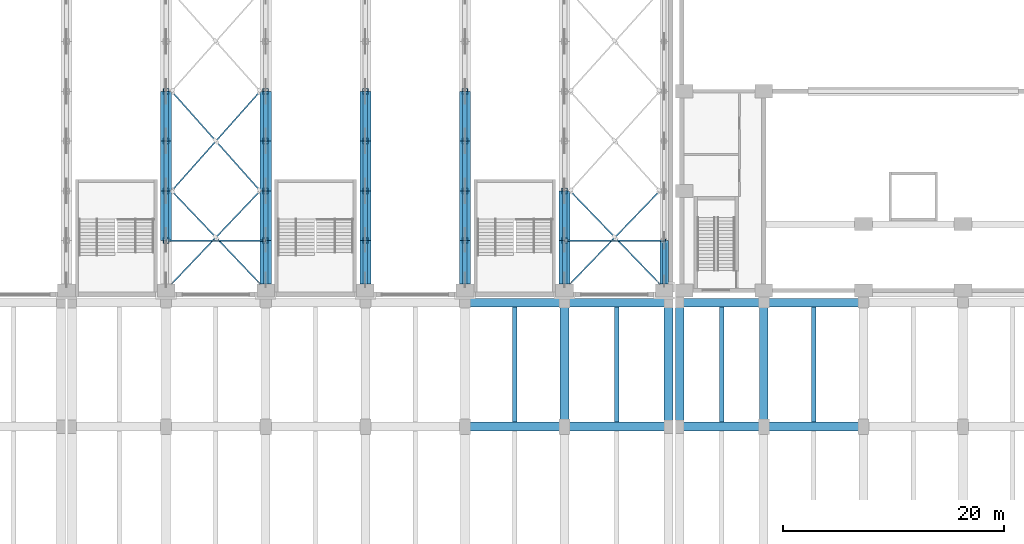
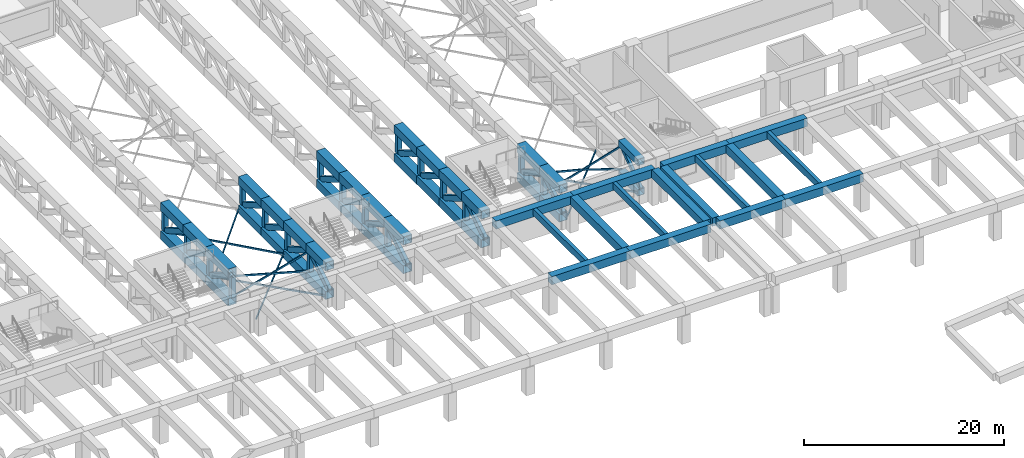
# One storey, part 11 of 76: 87 members, 16 beams.
"""IFC4 building model written with IfcOpenShell, lengths in metres."""

from ifc_helpers import new_model, si_unit, direction, frame, origin, origin_2d, place, context, subcontext, project, spatial, rectangle, hollow_rectangle, extrude, material, material_profile, profile_set, type_object, element, save


model = new_model("IFC4")

# Units and contexts
model_context = context("Model", 3, precision=1e-05, world=origin(), true_north=direction((0.0, 1.0)))
body_context = subcontext(model_context, "Body", "Model", "MODEL_VIEW")
ifc_project = project(units=[si_unit("LENGTHUNIT", "METRE"), si_unit("AREAUNIT", "SQUARE_METRE"), si_unit("VOLUMEUNIT", "CUBIC_METRE"), si_unit("PLANEANGLEUNIT", "RADIAN"), si_unit("MASSUNIT", "GRAM", prefix="KILO")], contexts=[model_context])

# Site, building, storey
site_placement = place(None, origin())
site = spatial("IfcSite", under=ifc_project, at=site_placement, CompositionType="ELEMENT")
building_placement = place(site_placement, origin())
building = spatial("IfcBuilding", under=site, at=building_placement, Name="Aravalli Gate Trade Fair Centre", CompositionType="ELEMENT")
storey_placement = place(building_placement, frame((0.0, 0.0, 10.0)))
storey = spatial("IfcBuildingStorey", under=building, at=storey_placement, Name="L02", CompositionType="ELEMENT", Elevation=10.0)

# Members
ifc_material_1 = material(Name="Steel E350", Category="steel")
ifc_material_profile_1 = material_profile(ifc_material_1, hollow_rectangle(XDim=0.1201171875, YDim=0.199951171875, WallThickness=0.008056640625, at=origin_2d()), Name="RHS 200x120x8")
ifc_profile_set_1 = profile_set([ifc_material_profile_1], Name="Steel E350")
member_type_1 = type_object("IfcMemberType", Name="Cross frame brace RHS 200x120x8", PredefinedType="BRACE", material=ifc_profile_set_1)
member_1_placement = place(storey_placement, frame((60.5, 46.60009765625, 0.5), z_axis=(0.689659376744, 0.724133926887, 0.0), x_axis=(-0.724133926887, 0.689659376744, 0.0)))
element("IfcMember", 1, at=member_1_placement, inside=storey, type_object=member_type_1, Name="FT plan brace bay 7 cell 1A", PredefinedType="BRACE", context=body_context, shape_type="SweptSolid", body=[
    extrude(hollow_rectangle(XDim=0.1201171875, YDim=0.199951171875, WallThickness=0.008056640625, at=origin_2d()), origin(), (0.0, 0.0, 1.0), 11.599853515625),
])
for number, where, z_axis, x_axis, name in (
    (2, (60.5, 55.0, 0.5), (0.689659376744, -0.724133926887, 0.0), (0.724133926887, 0.689659376744, 0.0), "FT plan brace bay 7 cell 1B half 1"),
    (3, (64.5, 50.800048828125, 0.5), (0.689659376744, -0.724133926887, 0.0), (0.724133926887, 0.689659376744, 0.0), "FT plan brace bay 7 cell 1B half 2"),
):
    element("IfcMember", number, at=place(storey_placement, frame(where, z_axis=z_axis, x_axis=x_axis)), inside=storey, type_object=member_type_1, Name=name, PredefinedType="BRACE", context=body_context, shape_type="SweptSolid", body=[
        extrude(hollow_rectangle(XDim=0.1201171875, YDim=0.199951171875, WallThickness=0.008056640625, at=origin_2d()), origin(), (0.0, 0.0, 1.0), 5.800048828125),
    ])
member_2_placement = place(storey_placement, frame((60.5, 55.0, 0.5), z_axis=(0.66436383883, 0.747409318684, 0.0), x_axis=(-0.747409318684, 0.66436383883, 0.0)))
element("IfcMember", 4, at=member_2_placement, inside=storey, type_object=member_type_1, Name="FT plan brace bay 7 cell 2A", PredefinedType="BRACE", context=body_context, shape_type="SweptSolid", body=[
    extrude(hollow_rectangle(XDim=0.1201171875, YDim=0.199951171875, WallThickness=0.008056640625, at=origin_2d()), origin(), (0.0, 0.0, 1.0), 12.04150390625),
])
for number, where, z_axis, x_axis, name in (
    (5, (60.5, 64.0, 0.5), (0.66436383883, -0.747409318684, 0.0), (0.747409318684, 0.66436383883, 0.0), "FT plan brace bay 7 cell 2B half 1"),
    (6, (64.5, 59.5, 0.5), (0.66436383883, -0.747409318684, 0.0), (0.747409318684, 0.66436383883, 0.0), "FT plan brace bay 7 cell 2B half 2"),
):
    element("IfcMember", number, at=place(storey_placement, frame(where, z_axis=z_axis, x_axis=x_axis)), inside=storey, type_object=member_type_1, Name=name, PredefinedType="BRACE", context=body_context, shape_type="SweptSolid", body=[
        extrude(hollow_rectangle(XDim=0.1201171875, YDim=0.199951171875, WallThickness=0.008056640625, at=origin_2d()), origin(), (0.0, 0.0, 1.0), 6.020751953125),
    ])
member_3_placement = place(storey_placement, frame((60.0, 50.5, 1.0), z_axis=(0.96351790963, 0.0, 0.267643863786), x_axis=(0.0, 1.0, 0.0)))
element("IfcMember", 7, at=member_3_placement, inside=storey, type_object=member_type_1, Name="FT vertical brace bay 7 frame 1A", PredefinedType="BRACE", context=body_context, shape_type="SweptSolid", body=[
    extrude(hollow_rectangle(XDim=0.1201171875, YDim=0.199951171875, WallThickness=0.008056640625, at=origin_2d()), origin(), (0.0, 0.0, 1.0), 9.3408203125),
])
for number, where, z_axis, x_axis, name in (
    (8, (60.0, 50.5, 3.5), (0.96351790963, 0.0, -0.267643863786), (0.0, 1.0, 0.0), "FT vertical brace bay 7 frame 1B half 1"),
    (9, (64.5, 50.5, 2.25), (0.96351790963, 0.0, -0.267643863786), (0.0, 1.0, 0.0), "FT vertical brace bay 7 frame 1B half 2"),
):
    element("IfcMember", number, at=place(storey_placement, frame(where, z_axis=z_axis, x_axis=x_axis)), inside=storey, type_object=member_type_1, Name=name, PredefinedType="BRACE", context=body_context, shape_type="SweptSolid", body=[
        extrude(hollow_rectangle(XDim=0.1201171875, YDim=0.199951171875, WallThickness=0.008056640625, at=origin_2d()), origin(), (0.0, 0.0, 1.0), 4.67041015625),
    ])
member_4_placement = place(storey_placement, frame((96.5, 46.60009765625, 0.5), z_axis=(0.694144088606, 0.719836081517, 0.0), x_axis=(-0.719836081517, 0.694144088606, 0.0)))
element("IfcMember", 10, at=member_4_placement, inside=storey, type_object=member_type_1, Name="FT plan brace bay 11 cell 1A", PredefinedType="BRACE", context=body_context, shape_type="SweptSolid", body=[
    extrude(hollow_rectangle(XDim=0.1201171875, YDim=0.199951171875, WallThickness=0.008056640625, at=origin_2d()), origin(), (0.0, 0.0, 1.0), 11.669189453125),
])
for number, where, z_axis, x_axis, name in (
    (11, (96.5, 55.0, 0.5), (0.694144088606, -0.719836081517, 0.0), (0.719836081517, 0.694144088606, 0.0), "FT plan brace bay 11 cell 1B half 1"),
    (12, (100.550048828125, 50.800048828125, 0.5), (0.694144088606, -0.719836081517, 0.0), (0.719836081517, 0.694144088606, 0.0), "FT plan brace bay 11 cell 1B half 2"),
):
    element("IfcMember", number, at=place(storey_placement, frame(where, z_axis=z_axis, x_axis=x_axis)), inside=storey, type_object=member_type_1, Name=name, PredefinedType="BRACE", context=body_context, shape_type="SweptSolid", body=[
        extrude(hollow_rectangle(XDim=0.1201171875, YDim=0.199951171875, WallThickness=0.008056640625, at=origin_2d()), origin(), (0.0, 0.0, 1.0), 5.83447265625),
    ])
member_5_placement = place(storey_placement, frame((96.0, 50.5, 1.0), z_axis=(0.957827715452, 0.0, 0.287343118088), x_axis=(0.0, 1.0, 0.0)))
element("IfcMember", 13, at=member_5_placement, inside=storey, type_object=member_type_1, Name="FT vertical brace bay 11 frame 1A", PredefinedType="BRACE", context=body_context, shape_type="SweptSolid", body=[
    extrude(hollow_rectangle(XDim=0.1201171875, YDim=0.199951171875, WallThickness=0.008056640625, at=origin_2d()), origin(), (0.0, 0.0, 1.0), 9.396240234375),
])
member_6_placement = place(storey_placement, frame((96.0, 50.5, 3.5), z_axis=(0.968867829559, 0.0, -0.247578530665), x_axis=(0.0, 1.0, 0.0)))
element("IfcMember", 14, at=member_6_placement, inside=storey, type_object=member_type_1, Name="FT vertical brace bay 11 frame 1B half 1", PredefinedType="BRACE", context=body_context, shape_type="SweptSolid", body=[
    extrude(hollow_rectangle(XDim=0.1201171875, YDim=0.199951171875, WallThickness=0.008056640625, at=origin_2d()), origin(), (0.0, 0.0, 1.0), 4.64453125),
])
member_7_placement = place(storey_placement, frame((100.5, 50.5, 2.35009765625), z_axis=(0.945481407862, 0.0, -0.325676077394), x_axis=(0.0, 1.0, 0.0)))
element("IfcMember", 15, at=member_7_placement, inside=storey, type_object=member_type_1, Name="FT vertical brace bay 11 frame 1B half 2", PredefinedType="BRACE", context=body_context, shape_type="SweptSolid", body=[
    extrude(hollow_rectangle(XDim=0.1201171875, YDim=0.199951171875, WallThickness=0.008056640625, at=origin_2d()), origin(), (0.0, 0.0, 1.0), 4.759521484375),
])

# Beams
ifc_material_2 = material(Name="Concrete M45", Category="concrete")
ifc_material_profile_2 = material_profile(ifc_material_2, rectangle(XDim=0.800048828125, YDim=1.0, at=origin_2d()), Name="Deck girder RC 800 x 1000")
ifc_profile_set_2 = profile_set([ifc_material_profile_2], Name="Concrete M45")
beam_type_1 = type_object("IfcBeamType", Name="Deck girder RC 800 x 1000", PredefinedType="BEAM", material=ifc_profile_set_2)
beam_1_placement = place(storey_placement, frame((87.0, 33.699951171875, 3.89990234375), z_axis=(1.0, 0.0, 0.0), x_axis=(0.0, 1.0, 0.0)))
element("IfcBeam", 16, at=beam_1_placement, inside=storey, type_object=beam_type_1, Name="Beam SB3-038", PredefinedType="BEAM", context=body_context, shape_type="SweptSolid", body=[
    extrude(rectangle(XDim=0.800048828125, YDim=1.0, at=origin_2d()), origin(), (0.0, 0.0, 1.0), 9.0),
])
beam_2_placement = place(storey_placement, frame((96.0, 33.699951171875, 3.89990234375), z_axis=(1.0, 0.0, 0.0), x_axis=(0.0, 1.0, 0.0)))
element("IfcBeam", 17, at=beam_2_placement, inside=storey, type_object=beam_type_1, Name="Beam SB3-039", PredefinedType="BEAM", context=body_context, shape_type="SweptSolid", body=[
    extrude(rectangle(XDim=0.800048828125, YDim=1.0, at=origin_2d()), origin(), (0.0, 0.0, 1.0), 9.39990234375),
])
beam_3_placement = place(storey_placement, frame((87.0, 44.89990234375, 3.89990234375), z_axis=(1.0, 0.0, 0.0), x_axis=(0.0, 1.0, 0.0)))
element("IfcBeam", 18, at=beam_3_placement, inside=storey, type_object=beam_type_1, Name="Beam SB3-044", PredefinedType="BEAM", context=body_context, shape_type="SweptSolid", body=[
    extrude(rectangle(XDim=0.800048828125, YDim=1.0, at=origin_2d()), origin(), (0.0, 0.0, 1.0), 9.0),
])
beam_4_placement = place(storey_placement, frame((96.0, 44.89990234375, 3.89990234375), z_axis=(1.0, 0.0, 0.0), x_axis=(0.0, 1.0, 0.0)))
element("IfcBeam", 19, at=beam_4_placement, inside=storey, type_object=beam_type_1, Name="Beam SB3-045", PredefinedType="BEAM", context=body_context, shape_type="SweptSolid", body=[
    extrude(rectangle(XDim=0.800048828125, YDim=1.0, at=origin_2d()), origin(), (0.0, 0.0, 1.0), 9.39990234375),
])
for number, where, z_axis, x_axis, name in (
    (20, (96.0, 34.10009765625, 3.89990234375), (0.0, 1.0, 0.0), (-1.0, 0.0, 0.0), "Beam SB3-057"),
    (21, (105.39990234375, 34.10009765625, 3.89990234375), (0.0, 1.0, 0.0), (-1.0, 0.0, 0.0), "Beam SB3-059"),
):
    element("IfcBeam", number, at=place(storey_placement, frame(where, z_axis=z_axis, x_axis=x_axis)), inside=storey, type_object=beam_type_1, Name=name, PredefinedType="BEAM", context=body_context, shape_type="SweptSolid", body=[
        extrude(rectangle(XDim=0.800048828125, YDim=1.0, at=origin_2d()), origin(), (0.0, 0.0, 1.0), 10.39990234375),
    ])
beam_5_placement = place(storey_placement, frame((106.39990234375, 33.699951171875, 3.89990234375), z_axis=(1.0, 0.0, 0.0), x_axis=(0.0, 1.0, 0.0)))
element("IfcBeam", 22, at=beam_5_placement, inside=storey, type_object=beam_type_1, Name="Beam SB3-066", PredefinedType="BEAM", context=body_context, shape_type="SweptSolid", body=[
    extrude(rectangle(XDim=0.800048828125, YDim=1.0, at=origin_2d()), origin(), (0.0, 0.0, 1.0), 7.60009765625),
])
beam_6_placement = place(storey_placement, frame((114.0, 33.699951171875, 3.89990234375), z_axis=(1.0, 0.0, 0.0), x_axis=(0.0, 1.0, 0.0)))
element("IfcBeam", 23, at=beam_6_placement, inside=storey, type_object=beam_type_1, Name="Beam SB3-067", PredefinedType="BEAM", context=body_context, shape_type="SweptSolid", body=[
    extrude(rectangle(XDim=0.800048828125, YDim=1.0, at=origin_2d()), origin(), (0.0, 0.0, 1.0), 9.0),
])
beam_7_placement = place(storey_placement, frame((106.39990234375, 44.89990234375, 3.89990234375), z_axis=(1.0, 0.0, 0.0), x_axis=(0.0, 1.0, 0.0)))
element("IfcBeam", 24, at=beam_7_placement, inside=storey, type_object=beam_type_1, Name="Beam SB3-072", PredefinedType="BEAM", context=body_context, shape_type="SweptSolid", body=[
    extrude(rectangle(XDim=0.800048828125, YDim=1.0, at=origin_2d()), origin(), (0.0, 0.0, 1.0), 7.60009765625),
])
beam_8_placement = place(storey_placement, frame((114.0, 44.89990234375, 3.89990234375), z_axis=(1.0, 0.0, 0.0), x_axis=(0.0, 1.0, 0.0)))
element("IfcBeam", 25, at=beam_8_placement, inside=storey, type_object=beam_type_1, Name="Beam SB3-073", PredefinedType="BEAM", context=body_context, shape_type="SweptSolid", body=[
    extrude(rectangle(XDim=0.800048828125, YDim=1.0, at=origin_2d()), origin(), (0.0, 0.0, 1.0), 9.0),
])
for number, where, z_axis, x_axis, name in (
    (26, (106.39990234375, 34.10009765625, 3.89990234375), (0.0, 1.0, 0.0), (-1.0, 0.0, 0.0), "Beam SB3-079"),
    (27, (114.0, 34.10009765625, 3.89990234375), (0.0, 1.0, 0.0), (-1.0, 0.0, 0.0), "Beam SB3-081"),
):
    element("IfcBeam", number, at=place(storey_placement, frame(where, z_axis=z_axis, x_axis=x_axis)), inside=storey, type_object=beam_type_1, Name=name, PredefinedType="BEAM", context=body_context, shape_type="SweptSolid", body=[
        extrude(rectangle(XDim=0.800048828125, YDim=1.0, at=origin_2d()), origin(), (0.0, 0.0, 1.0), 10.39990234375),
    ])
ifc_material_profile_3 = material_profile(ifc_material_2, rectangle(XDim=0.39990234375, YDim=0.800048828125, at=origin_2d()), Name="Deck secondary beam RC 400 x 800")
ifc_profile_set_3 = profile_set([ifc_material_profile_3], Name="Concrete M45")
beam_type_2 = type_object("IfcBeamType", Name="Deck secondary beam RC 400 x 800", PredefinedType="BEAM", material=ifc_profile_set_3)
for number, where, z_axis, x_axis, name in (
    (28, (91.5, 34.10009765625, 4.0), (0.0, 1.0, 0.0), (-1.0, 0.0, 0.0), "Beam SB4-020"),
    (29, (100.699951171875, 34.10009765625, 4.0), (0.0, 1.0, 0.0), (-1.0, 0.0, 0.0), "Beam SB4-022"),
    (30, (110.199951171875, 34.10009765625, 4.0), (0.0, 1.0, 0.0), (-1.0, 0.0, 0.0), "Beam SB4-024"),
    (31, (118.5, 34.10009765625, 4.0), (0.0, 1.0, 0.0), (-1.0, 0.0, 0.0), "Beam SB4-026"),
):
    element("IfcBeam", number, at=place(storey_placement, frame(where, z_axis=z_axis, x_axis=x_axis)), inside=storey, type_object=beam_type_2, Name=name, PredefinedType="BEAM", context=body_context, shape_type="SweptSolid", body=[
        extrude(rectangle(XDim=0.39990234375, YDim=0.800048828125, at=origin_2d()), origin(), (0.0, 0.0, 1.0), 10.39990234375),
    ])

# Members
ifc_material_profile_4 = material_profile(ifc_material_1, hollow_rectangle(XDim=1.0, YDim=1.0, WallThickness=0.050048828125, at=origin_2d()), Name="BOX 1000x1000x50")
ifc_profile_set_4 = profile_set([ifc_material_profile_4], Name="Steel E350")
member_type_2 = type_object("IfcMemberType", Name="FT1 chord BOX 1000x1000x50", PredefinedType="CHORD", material=ifc_profile_set_4)
for number, where, z_axis, x_axis, name in (
    (32, (60.0, 50.5, 0.5), (0.0, 1.0, 0.0), (-1.0, 0.0, 0.0), "FT1 line 7 bottom chord 2"),
    (33, (60.0, 50.5, 4.0), (0.0, 1.0, 0.0), (-1.0, 0.0, 0.0), "FT1 line 7 top chord 2"),
    (34, (60.0, 55.0, 0.5), (0.0, 1.0, 0.0), (-1.0, 0.0, 0.0), "FT1 line 7 bottom chord 3"),
    (35, (60.0, 55.0, 4.0), (0.0, 1.0, 0.0), (-1.0, 0.0, 0.0), "FT1 line 7 top chord 3"),
    (36, (60.0, 59.5, 0.5), (0.0, 1.0, 0.0), (-1.0, 0.0, 0.0), "FT1 line 7 bottom chord 4"),
    (37, (60.0, 59.5, 4.0), (0.0, 1.0, 0.0), (-1.0, 0.0, 0.0), "FT1 line 7 top chord 4"),
):
    element("IfcMember", number, at=place(storey_placement, frame(where, z_axis=z_axis, x_axis=x_axis)), inside=storey, type_object=member_type_2, Name=name, PredefinedType="CHORD", context=body_context, shape_type="SweptSolid", body=[
        extrude(hollow_rectangle(XDim=1.0, YDim=1.0, WallThickness=0.050048828125, at=origin_2d()), origin(), (0.0, 0.0, 1.0), 4.5),
    ])
for number, where, z_axis, x_axis, name in (
    (38, (69.0, 46.60009765625, 0.5), (0.0, 1.0, 0.0), (-1.0, 0.0, 0.0), "FT1 line 8 bottom chord 1"),
    (39, (69.0, 46.60009765625, 4.0), (0.0, 1.0, 0.0), (-1.0, 0.0, 0.0), "FT1 line 8 top chord 1"),
):
    element("IfcMember", number, at=place(storey_placement, frame(where, z_axis=z_axis, x_axis=x_axis)), inside=storey, type_object=member_type_2, Name=name, PredefinedType="CHORD", context=body_context, shape_type="SweptSolid", body=[
        extrude(hollow_rectangle(XDim=1.0, YDim=1.0, WallThickness=0.050048828125, at=origin_2d()), origin(), (0.0, 0.0, 1.0), 3.89990234375),
    ])
for number, where, z_axis, x_axis, name in (
    (40, (69.0, 50.5, 0.5), (0.0, 1.0, 0.0), (-1.0, 0.0, 0.0), "FT1 line 8 bottom chord 2"),
    (41, (69.0, 50.5, 4.0), (0.0, 1.0, 0.0), (-1.0, 0.0, 0.0), "FT1 line 8 top chord 2"),
    (42, (69.0, 55.0, 0.5), (0.0, 1.0, 0.0), (-1.0, 0.0, 0.0), "FT1 line 8 bottom chord 3"),
    (43, (69.0, 55.0, 4.0), (0.0, 1.0, 0.0), (-1.0, 0.0, 0.0), "FT1 line 8 top chord 3"),
    (44, (69.0, 59.5, 0.5), (0.0, 1.0, 0.0), (-1.0, 0.0, 0.0), "FT1 line 8 bottom chord 4"),
    (45, (69.0, 59.5, 4.0), (0.0, 1.0, 0.0), (-1.0, 0.0, 0.0), "FT1 line 8 top chord 4"),
):
    element("IfcMember", number, at=place(storey_placement, frame(where, z_axis=z_axis, x_axis=x_axis)), inside=storey, type_object=member_type_2, Name=name, PredefinedType="CHORD", context=body_context, shape_type="SweptSolid", body=[
        extrude(hollow_rectangle(XDim=1.0, YDim=1.0, WallThickness=0.050048828125, at=origin_2d()), origin(), (0.0, 0.0, 1.0), 4.5),
    ])
for number, where, z_axis, x_axis, name in (
    (46, (78.0, 46.60009765625, 0.5), (0.0, 1.0, 0.0), (-1.0, 0.0, 0.0), "FT1 line 9 bottom chord 1"),
    (47, (78.0, 46.60009765625, 4.0), (0.0, 1.0, 0.0), (-1.0, 0.0, 0.0), "FT1 line 9 top chord 1"),
):
    element("IfcMember", number, at=place(storey_placement, frame(where, z_axis=z_axis, x_axis=x_axis)), inside=storey, type_object=member_type_2, Name=name, PredefinedType="CHORD", context=body_context, shape_type="SweptSolid", body=[
        extrude(hollow_rectangle(XDim=1.0, YDim=1.0, WallThickness=0.050048828125, at=origin_2d()), origin(), (0.0, 0.0, 1.0), 3.89990234375),
    ])
for number, where, z_axis, x_axis, name in (
    (48, (78.0, 50.5, 0.5), (0.0, 1.0, 0.0), (-1.0, 0.0, 0.0), "FT1 line 9 bottom chord 2"),
    (49, (78.0, 50.5, 4.0), (0.0, 1.0, 0.0), (-1.0, 0.0, 0.0), "FT1 line 9 top chord 2"),
    (50, (78.0, 55.0, 0.5), (0.0, 1.0, 0.0), (-1.0, 0.0, 0.0), "FT1 line 9 bottom chord 3"),
    (51, (78.0, 55.0, 4.0), (0.0, 1.0, 0.0), (-1.0, 0.0, 0.0), "FT1 line 9 top chord 3"),
    (52, (78.0, 59.5, 0.5), (0.0, 1.0, 0.0), (-1.0, 0.0, 0.0), "FT1 line 9 bottom chord 4"),
    (53, (78.0, 59.5, 4.0), (0.0, 1.0, 0.0), (-1.0, 0.0, 0.0), "FT1 line 9 top chord 4"),
):
    element("IfcMember", number, at=place(storey_placement, frame(where, z_axis=z_axis, x_axis=x_axis)), inside=storey, type_object=member_type_2, Name=name, PredefinedType="CHORD", context=body_context, shape_type="SweptSolid", body=[
        extrude(hollow_rectangle(XDim=1.0, YDim=1.0, WallThickness=0.050048828125, at=origin_2d()), origin(), (0.0, 0.0, 1.0), 4.5),
    ])
for number, where, z_axis, x_axis, name in (
    (54, (87.0, 46.60009765625, 0.5), (0.0, 1.0, 0.0), (-1.0, 0.0, 0.0), "FT1 line 10 bottom chord 1"),
    (55, (87.0, 46.60009765625, 4.0), (0.0, 1.0, 0.0), (-1.0, 0.0, 0.0), "FT1 line 10 top chord 1"),
):
    element("IfcMember", number, at=place(storey_placement, frame(where, z_axis=z_axis, x_axis=x_axis)), inside=storey, type_object=member_type_2, Name=name, PredefinedType="CHORD", context=body_context, shape_type="SweptSolid", body=[
        extrude(hollow_rectangle(XDim=1.0, YDim=1.0, WallThickness=0.050048828125, at=origin_2d()), origin(), (0.0, 0.0, 1.0), 3.89990234375),
    ])
for number, where, z_axis, x_axis, name in (
    (56, (87.0, 50.5, 0.5), (0.0, 1.0, 0.0), (-1.0, 0.0, 0.0), "FT1 line 10 bottom chord 2"),
    (57, (87.0, 50.5, 4.0), (0.0, 1.0, 0.0), (-1.0, 0.0, 0.0), "FT1 line 10 top chord 2"),
    (58, (87.0, 55.0, 0.5), (0.0, 1.0, 0.0), (-1.0, 0.0, 0.0), "FT1 line 10 bottom chord 3"),
    (59, (87.0, 55.0, 4.0), (0.0, 1.0, 0.0), (-1.0, 0.0, 0.0), "FT1 line 10 top chord 3"),
    (60, (87.0, 59.5, 0.5), (0.0, 1.0, 0.0), (-1.0, 0.0, 0.0), "FT1 line 10 bottom chord 4"),
    (61, (87.0, 59.5, 4.0), (0.0, 1.0, 0.0), (-1.0, 0.0, 0.0), "FT1 line 10 top chord 4"),
):
    element("IfcMember", number, at=place(storey_placement, frame(where, z_axis=z_axis, x_axis=x_axis)), inside=storey, type_object=member_type_2, Name=name, PredefinedType="CHORD", context=body_context, shape_type="SweptSolid", body=[
        extrude(hollow_rectangle(XDim=1.0, YDim=1.0, WallThickness=0.050048828125, at=origin_2d()), origin(), (0.0, 0.0, 1.0), 4.5),
    ])
for number, where, z_axis, x_axis, name in (
    (62, (96.0, 46.60009765625, 0.5), (0.0, 1.0, 0.0), (-1.0, 0.0, 0.0), "FT1 line 11 bottom chord 1"),
    (63, (96.0, 46.60009765625, 4.0), (0.0, 1.0, 0.0), (-1.0, 0.0, 0.0), "FT1 line 11 top chord 1"),
):
    element("IfcMember", number, at=place(storey_placement, frame(where, z_axis=z_axis, x_axis=x_axis)), inside=storey, type_object=member_type_2, Name=name, PredefinedType="CHORD", context=body_context, shape_type="SweptSolid", body=[
        extrude(hollow_rectangle(XDim=1.0, YDim=1.0, WallThickness=0.050048828125, at=origin_2d()), origin(), (0.0, 0.0, 1.0), 3.89990234375),
    ])
for number, where, z_axis, x_axis, name in (
    (64, (96.0, 50.5, 0.5), (0.0, 1.0, 0.0), (-1.0, 0.0, 0.0), "FT1 line 11 bottom chord 2"),
    (65, (96.0, 50.5, 4.0), (0.0, 1.0, 0.0), (-1.0, 0.0, 0.0), "FT1 line 11 top chord 2"),
):
    element("IfcMember", number, at=place(storey_placement, frame(where, z_axis=z_axis, x_axis=x_axis)), inside=storey, type_object=member_type_2, Name=name, PredefinedType="CHORD", context=body_context, shape_type="SweptSolid", body=[
        extrude(hollow_rectangle(XDim=1.0, YDim=1.0, WallThickness=0.050048828125, at=origin_2d()), origin(), (0.0, 0.0, 1.0), 4.5),
    ])
ifc_material_profile_5 = material_profile(ifc_material_1, hollow_rectangle(XDim=0.39990234375, YDim=0.60009765625, WallThickness=0.030029296875, at=origin_2d()), Name="RHS 600x400x30")
ifc_profile_set_5 = profile_set([ifc_material_profile_5], Name="Steel E350")
member_type_3 = type_object("IfcMemberType", Name="FT1 diagonal RHS 600x400x30", PredefinedType="BRACE", material=ifc_profile_set_5)
for number, where, z_axis, x_axis, name in (
    (66, (60.0, 50.60498046875, 3.5), (0.0, 0.863999951417, -0.503491890651), (-1.0, 0.0, 0.0), "FT1 line 7 diagonal 2"),
    (67, (60.0, 55.10498046875, 3.5), (0.0, 0.863999951417, -0.503491890651), (-1.0, 0.0, 0.0), "FT1 line 7 diagonal 3"),
    (68, (60.0, 59.60498046875, 3.5), (0.0, 0.863999951417, -0.503491890651), (-1.0, 0.0, 0.0), "FT1 line 7 diagonal 4"),
):
    element("IfcMember", number, at=place(storey_placement, frame(where, z_axis=z_axis, x_axis=x_axis)), inside=storey, type_object=member_type_3, Name=name, PredefinedType="BRACE", context=body_context, shape_type="SweptSolid", body=[
        extrude(hollow_rectangle(XDim=0.39990234375, YDim=0.60009765625, WallThickness=0.030029296875, at=origin_2d()), origin(), (0.0, 0.0, 1.0), 4.96533203125),
    ])
member_8_placement = place(storey_placement, frame((69.0, 46.60009765625, 1.0), z_axis=(0.0, 0.841872999265, 0.53967569253), x_axis=(-1.0, 0.0, 0.0)))
element("IfcMember", 69, at=member_8_placement, inside=storey, type_object=member_type_3, Name="FT1 line 8 diagonal 1", PredefinedType="BRACE", context=body_context, shape_type="SweptSolid", body=[
    extrude(hollow_rectangle(XDim=0.39990234375, YDim=0.60009765625, WallThickness=0.030029296875, at=origin_2d()), origin(), (0.0, 0.0, 1.0), 4.63232421875),
])
for number, where, z_axis, x_axis, name in (
    (70, (69.0, 50.60498046875, 3.5), (0.0, 0.863999951417, -0.503491890651), (-1.0, 0.0, 0.0), "FT1 line 8 diagonal 2"),
    (71, (69.0, 55.10498046875, 3.5), (0.0, 0.863999951417, -0.503491890651), (-1.0, 0.0, 0.0), "FT1 line 8 diagonal 3"),
    (72, (69.0, 59.60498046875, 3.5), (0.0, 0.863999951417, -0.503491890651), (-1.0, 0.0, 0.0), "FT1 line 8 diagonal 4"),
):
    element("IfcMember", number, at=place(storey_placement, frame(where, z_axis=z_axis, x_axis=x_axis)), inside=storey, type_object=member_type_3, Name=name, PredefinedType="BRACE", context=body_context, shape_type="SweptSolid", body=[
        extrude(hollow_rectangle(XDim=0.39990234375, YDim=0.60009765625, WallThickness=0.030029296875, at=origin_2d()), origin(), (0.0, 0.0, 1.0), 4.96533203125),
    ])
member_9_placement = place(storey_placement, frame((78.0, 46.60009765625, 1.0), z_axis=(0.0, 0.841872999265, 0.53967569253), x_axis=(-1.0, 0.0, 0.0)))
element("IfcMember", 73, at=member_9_placement, inside=storey, type_object=member_type_3, Name="FT1 line 9 diagonal 1", PredefinedType="BRACE", context=body_context, shape_type="SweptSolid", body=[
    extrude(hollow_rectangle(XDim=0.39990234375, YDim=0.60009765625, WallThickness=0.030029296875, at=origin_2d()), origin(), (0.0, 0.0, 1.0), 4.63232421875),
])
for number, where, z_axis, x_axis, name in (
    (74, (78.0, 50.60498046875, 3.5), (0.0, 0.863999951417, -0.503491890651), (-1.0, 0.0, 0.0), "FT1 line 9 diagonal 2"),
    (75, (78.0, 55.10498046875, 3.5), (0.0, 0.863999951417, -0.503491890651), (-1.0, 0.0, 0.0), "FT1 line 9 diagonal 3"),
    (76, (78.0, 59.60498046875, 3.5), (0.0, 0.863999951417, -0.503491890651), (-1.0, 0.0, 0.0), "FT1 line 9 diagonal 4"),
):
    element("IfcMember", number, at=place(storey_placement, frame(where, z_axis=z_axis, x_axis=x_axis)), inside=storey, type_object=member_type_3, Name=name, PredefinedType="BRACE", context=body_context, shape_type="SweptSolid", body=[
        extrude(hollow_rectangle(XDim=0.39990234375, YDim=0.60009765625, WallThickness=0.030029296875, at=origin_2d()), origin(), (0.0, 0.0, 1.0), 4.96533203125),
    ])
member_10_placement = place(storey_placement, frame((87.0, 46.60009765625, 1.0), z_axis=(0.0, 0.841872999265, 0.53967569253), x_axis=(-1.0, 0.0, 0.0)))
element("IfcMember", 77, at=member_10_placement, inside=storey, type_object=member_type_3, Name="FT1 line 10 diagonal 1", PredefinedType="BRACE", context=body_context, shape_type="SweptSolid", body=[
    extrude(hollow_rectangle(XDim=0.39990234375, YDim=0.60009765625, WallThickness=0.030029296875, at=origin_2d()), origin(), (0.0, 0.0, 1.0), 4.63232421875),
])
for number, where, z_axis, x_axis, name in (
    (78, (87.0, 50.60498046875, 3.5), (0.0, 0.863999951417, -0.503491890651), (-1.0, 0.0, 0.0), "FT1 line 10 diagonal 2"),
    (79, (87.0, 55.10498046875, 3.5), (0.0, 0.863999951417, -0.503491890651), (-1.0, 0.0, 0.0), "FT1 line 10 diagonal 3"),
    (80, (87.0, 59.60498046875, 3.5), (0.0, 0.863999951417, -0.503491890651), (-1.0, 0.0, 0.0), "FT1 line 10 diagonal 4"),
):
    element("IfcMember", number, at=place(storey_placement, frame(where, z_axis=z_axis, x_axis=x_axis)), inside=storey, type_object=member_type_3, Name=name, PredefinedType="BRACE", context=body_context, shape_type="SweptSolid", body=[
        extrude(hollow_rectangle(XDim=0.39990234375, YDim=0.60009765625, WallThickness=0.030029296875, at=origin_2d()), origin(), (0.0, 0.0, 1.0), 4.96533203125),
    ])
member_11_placement = place(storey_placement, frame((96.0, 46.60009765625, 1.0), z_axis=(0.0, 0.841872999265, 0.53967569253), x_axis=(-1.0, 0.0, 0.0)))
element("IfcMember", 81, at=member_11_placement, inside=storey, type_object=member_type_3, Name="FT1 line 11 diagonal 1", PredefinedType="BRACE", context=body_context, shape_type="SweptSolid", body=[
    extrude(hollow_rectangle(XDim=0.39990234375, YDim=0.60009765625, WallThickness=0.030029296875, at=origin_2d()), origin(), (0.0, 0.0, 1.0), 4.63232421875),
])
member_12_placement = place(storey_placement, frame((96.0, 50.60498046875, 3.5), z_axis=(0.0, 0.863999951417, -0.503491890651), x_axis=(-1.0, 0.0, 0.0)))
element("IfcMember", 82, at=member_12_placement, inside=storey, type_object=member_type_3, Name="FT1 line 11 diagonal 2", PredefinedType="BRACE", context=body_context, shape_type="SweptSolid", body=[
    extrude(hollow_rectangle(XDim=0.39990234375, YDim=0.60009765625, WallThickness=0.030029296875, at=origin_2d()), origin(), (0.0, 0.0, 1.0), 4.96533203125),
])
ifc_material_profile_6 = material_profile(ifc_material_1, hollow_rectangle(XDim=0.5, YDim=0.5, WallThickness=0.02490234375, at=origin_2d()), Name="BOX 500x500x25")
ifc_profile_set_6 = profile_set([ifc_material_profile_6], Name="Steel E350")
member_type_4 = type_object("IfcMemberType", Name="FT1 post BOX 500x500x25", PredefinedType="POST", material=ifc_profile_set_6)
for number, where, z_axis, x_axis, name in (
    (83, (60.0, 50.5, 1.0), (0.0, 0.0, 1.0), (1.0, 0.0, 0.0), "FT1 line 7 post 1"),
    (84, (60.0, 55.0, 1.0), (0.0, 0.0, 1.0), (1.0, 0.0, 0.0), "FT1 line 7 post 2"),
    (85, (60.0, 59.5, 1.0), (0.0, 0.0, 1.0), (1.0, 0.0, 0.0), "FT1 line 7 post 3"),
    (86, (60.0, 64.0, 1.0), (0.0, 0.0, 1.0), (1.0, 0.0, 0.0), "FT1 line 7 post 4"),
    (87, (69.0, 50.5, 1.0), (0.0, 0.0, 1.0), (1.0, 0.0, 0.0), "FT1 line 8 post 1"),
    (88, (69.0, 55.0, 1.0), (0.0, 0.0, 1.0), (1.0, 0.0, 0.0), "FT1 line 8 post 2"),
    (89, (69.0, 59.5, 1.0), (0.0, 0.0, 1.0), (1.0, 0.0, 0.0), "FT1 line 8 post 3"),
    (90, (69.0, 64.0, 1.0), (0.0, 0.0, 1.0), (1.0, 0.0, 0.0), "FT1 line 8 post 4"),
    (91, (78.0, 50.5, 1.0), (0.0, 0.0, 1.0), (1.0, 0.0, 0.0), "FT1 line 9 post 1"),
    (92, (78.0, 55.0, 1.0), (0.0, 0.0, 1.0), (1.0, 0.0, 0.0), "FT1 line 9 post 2"),
    (93, (78.0, 59.5, 1.0), (0.0, 0.0, 1.0), (1.0, 0.0, 0.0), "FT1 line 9 post 3"),
    (94, (78.0, 64.0, 1.0), (0.0, 0.0, 1.0), (1.0, 0.0, 0.0), "FT1 line 9 post 4"),
    (95, (87.0, 50.5, 1.0), (0.0, 0.0, 1.0), (1.0, 0.0, 0.0), "FT1 line 10 post 1"),
    (96, (87.0, 55.0, 1.0), (0.0, 0.0, 1.0), (1.0, 0.0, 0.0), "FT1 line 10 post 2"),
    (97, (87.0, 59.5, 1.0), (0.0, 0.0, 1.0), (1.0, 0.0, 0.0), "FT1 line 10 post 3"),
    (98, (87.0, 64.0, 1.0), (0.0, 0.0, 1.0), (1.0, 0.0, 0.0), "FT1 line 10 post 4"),
    (99, (96.0, 50.5, 1.0), (0.0, 0.0, 1.0), (1.0, 0.0, 0.0), "FT1 line 11 post 1"),
    (100, (96.0, 55.0, 1.0), (0.0, 0.0, 1.0), (1.0, 0.0, 0.0), "FT1 line 11 post 2"),
):
    element("IfcMember", number, at=place(storey_placement, frame(where, z_axis=z_axis, x_axis=x_axis)), inside=storey, type_object=member_type_4, Name=name, PredefinedType="POST", context=body_context, shape_type="SweptSolid", body=[
        extrude(hollow_rectangle(XDim=0.5, YDim=0.5, WallThickness=0.02490234375, at=origin_2d()), origin(), (0.0, 0.0, 1.0), 2.5),
    ])
ifc_material_profile_7 = material_profile(ifc_material_1, hollow_rectangle(XDim=0.800048828125, YDim=0.800048828125, WallThickness=0.0400390625, at=origin_2d()), Name="BOX 800x800x40")
ifc_profile_set_7 = profile_set([ifc_material_profile_7], Name="Steel E350")
member_type_5 = type_object("IfcMemberType", Name="FT2 chord BOX 800x800x40", PredefinedType="CHORD", material=ifc_profile_set_7)
for number, where, z_axis, x_axis, name in (
    (101, (105.0, 46.60009765625, 0.39990234375), (0.0, 1.0, 0.0), (-1.0, 0.0, 0.0), "FT2 line 12 bottom chord 1"),
    (102, (105.0, 46.60009765625, 4.10009765625), (0.0, 1.0, 0.0), (-1.0, 0.0, 0.0), "FT2 line 12 top chord 1"),
):
    element("IfcMember", number, at=place(storey_placement, frame(where, z_axis=z_axis, x_axis=x_axis)), inside=storey, type_object=member_type_5, Name=name, PredefinedType="CHORD", context=body_context, shape_type="SweptSolid", body=[
        extrude(hollow_rectangle(XDim=0.800048828125, YDim=0.800048828125, WallThickness=0.0400390625, at=origin_2d()), origin(), (0.0, 0.0, 1.0), 3.89990234375),
    ])
ifc_material_profile_8 = material_profile(ifc_material_1, hollow_rectangle(XDim=0.300048828125, YDim=0.449951171875, WallThickness=0.02001953125, at=origin_2d()), Name="RHS 450x300x20")
ifc_profile_set_8 = profile_set([ifc_material_profile_8], Name="Steel E350")
member_type_6 = type_object("IfcMemberType", Name="FT2 diagonal RHS 450x300x20", PredefinedType="BRACE", material=ifc_profile_set_8)
member_13_placement = place(storey_placement, frame((105.0, 46.60009765625, 0.800048828125), z_axis=(0.0, 0.80246480806, 0.596699448487), x_axis=(-1.0, 0.0, 0.0)))
element("IfcMember", 103, at=member_13_placement, inside=storey, type_object=member_type_6, Name="FT2 line 12 diagonal 1", PredefinedType="BRACE", context=body_context, shape_type="SweptSolid", body=[
    extrude(hollow_rectangle(XDim=0.300048828125, YDim=0.449951171875, WallThickness=0.02001953125, at=origin_2d()), origin(), (0.0, 0.0, 1.0), 4.85986328125),
])

save(model, "model.ifc")
